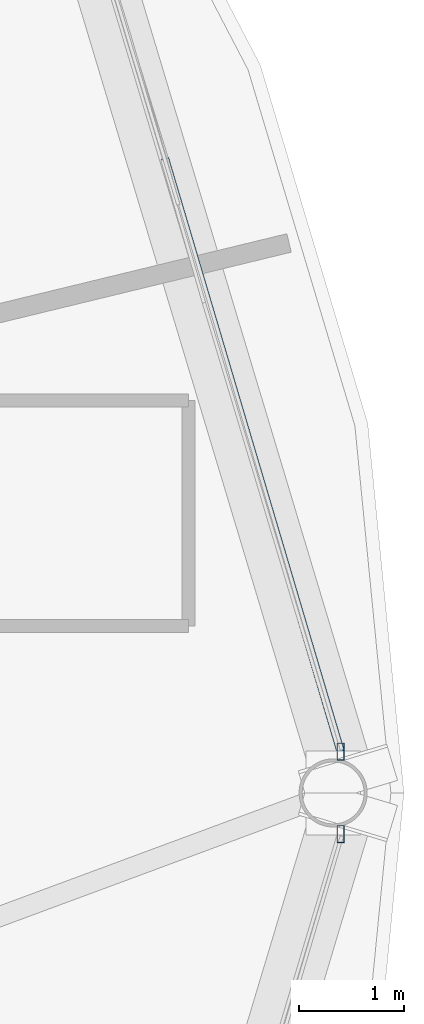
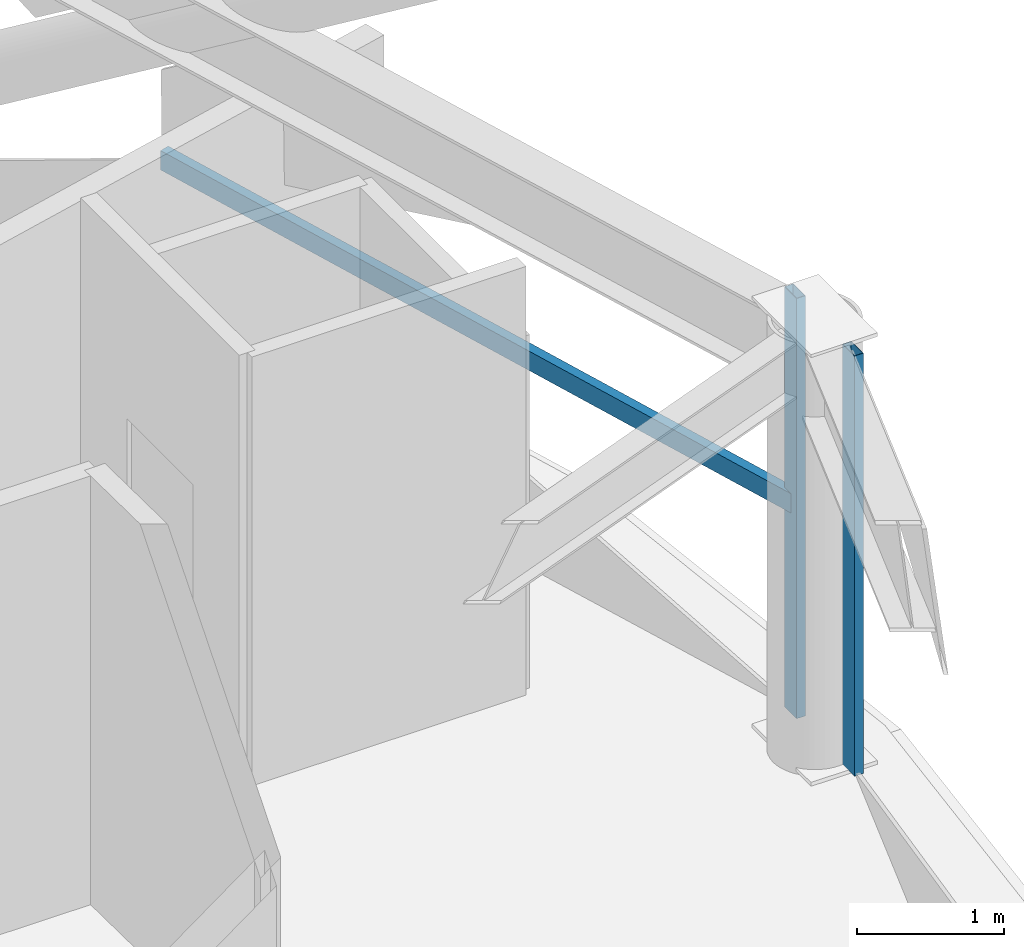
# One storey, part 13 of 29: 3 members, 2 elements without a shape of their own.
"""IFC4 building model written with IfcOpenShell, lengths in metres."""

from ifc_helpers import new_model, si_unit, direction, frame, origin, origin_2d, place, context, subcontext, project, spatial, hollow_rectangle, extrude, material, layer, layer_set, material_profile, profile_set, type_object, element, aggregate, save


model = new_model("IFC4")

# Units and contexts
model_context = context("Model", 3, precision=1e-05, world=origin(), true_north=direction((0.0, 1.0)))
body_context = subcontext(model_context, "Body", "Model", "MODEL_VIEW")
ifc_project = project(units=[si_unit("LENGTHUNIT", "METRE"), si_unit("AREAUNIT", "SQUARE_METRE"), si_unit("VOLUMEUNIT", "CUBIC_METRE"), si_unit("PLANEANGLEUNIT", "RADIAN"), si_unit("MASSUNIT", "GRAM", prefix="KILO")], contexts=[model_context])

# Site, building, storey
site_placement = place(None, origin())
site = spatial("IfcSite", under=ifc_project, at=site_placement, CompositionType="ELEMENT")
building_placement = place(site_placement, origin())
building = spatial("IfcBuilding", under=site, at=building_placement, Name="Vantalir Tower", CompositionType="ELEMENT")
storey_placement = place(building_placement, frame((0.0, 0.0, 219.89990234375)))
storey = spatial("IfcBuildingStorey", under=building, at=storey_placement, Name="L55", CompositionType="ELEMENT", Elevation=219.89990234375)

# Curtain wall, member
ifc_material_1 = material(Name="Champagne-silver PVDF aluminium and double-silver Low-E glass", Category="aluminium")
ifc_layer = layer(ifc_material_1, 0.2099609375)
ifc_layer_set = layer_set([ifc_layer], Name="Champagne-silver PVDF aluminium and double-silver Low-E glass")
curtain_wall_type = type_object("IfcCurtainWallType", Name="CW-DIAMOND-Z3", PredefinedType="USERDEFINED", material=ifc_layer_set)
curtain_wall_1_placement = place(storey_placement, origin())
curtain_wall_1 = element("IfcCurtainWall", 1, at=curtain_wall_1_placement, inside=storey, type_object=curtain_wall_type, Name="L55 Quilted Pyramid-Diamond Curtain Wall S01", ObjectType="UNITISED CURTAIN WALL", PredefinedType="USERDEFINED")
ifc_material_2 = material(Name="Champagne-silver PVDF aluminium 6063-T6", Category="aluminium")
ifc_material_profile_1 = material_profile(ifc_material_2, hollow_rectangle(XDim=0.070068359375, YDim=0.1650390625, WallThickness=0.00390625, at=origin_2d()), Name="Champagne-silver PVDF aluminium 6063-T6")
ifc_profile_set_1 = profile_set([ifc_material_profile_1], Name="Champagne-silver PVDF aluminium 6063-T6")
member_type_1 = type_object("IfcMemberType", Name="CWM-165x70", PredefinedType="MULLION", material=ifc_profile_set_1)
member_1_placement = place(storey_placement, frame((53.5849609375, 25.39306640625, 0.045166015625), z_axis=(0.0, 0.0, 1.0), x_axis=(1.0, 0.0, 0.0)))
member_1 = element("IfcMember", 2, at=member_1_placement, type_object=member_type_1, Name="CW-L55-S01 Mullion 1", PredefinedType="MULLION", context=body_context, shape_type="SweptSolid", body=[
    extrude(hollow_rectangle(XDim=0.070068359375, YDim=0.1650390625, WallThickness=0.00390625, at=origin_2d()), origin(), (0.0, 0.0, 1.0), 3.47998046875),
])

curtain_wall_2_placement = place(storey_placement, origin())
curtain_wall_2 = element("IfcCurtainWall", 3, at=curtain_wall_2_placement, inside=storey, type_object=curtain_wall_type, Name="L55 Quilted Pyramid-Diamond Curtain Wall S12", ObjectType="UNITISED CURTAIN WALL", PredefinedType="USERDEFINED")
member_2_placement = place(storey_placement, frame((53.5849609375, 24.60693359375, 0.045166015625), z_axis=(0.0, 0.0, 1.0), x_axis=(1.0, 0.0, 0.0)))
member_2 = element("IfcMember", 4, at=member_2_placement, type_object=member_type_1, Name="CW-L55-S12 Mullion 2", PredefinedType="MULLION", context=body_context, shape_type="SweptSolid", body=[
    extrude(hollow_rectangle(XDim=0.070068359375, YDim=0.1650390625, WallThickness=0.00390625, at=origin_2d()), origin(), (0.0, 0.0, 1.0), 3.47998046875),
])
aggregate(curtain_wall_2, [member_2])

# Member
ifc_material_profile_2 = material_profile(ifc_material_2, hollow_rectangle(XDim=0.074951171875, YDim=0.159912109375, WallThickness=0.00390625, at=origin_2d()), Name="Champagne-silver PVDF aluminium 6063-T6")
ifc_profile_set_2 = profile_set([ifc_material_profile_2], Name="Champagne-silver PVDF aluminium 6063-T6")
member_type_2 = type_object("IfcMemberType", Name="CWT-160x75", PredefinedType="USERDEFINED", material=ifc_profile_set_2)
member_3_placement = place(storey_placement, frame((53.5849609375, 25.39306640625, 1.78515625), z_axis=(-0.28410947815, 0.958791846245, 0.0), x_axis=(-0.958791846245, -0.28410947815, 0.0)))
member_3 = element("IfcMember", 5, at=member_3_placement, type_object=member_type_2, Name="CW-L55-S01 Pyramid Fold Ridge Transom", ObjectType="TRANSOM", PredefinedType="USERDEFINED", context=body_context, shape_type="SweptSolid", body=[
    extrude(hollow_rectangle(XDim=0.074951171875, YDim=0.159912109375, WallThickness=0.00390625, at=origin_2d()), origin(), (0.0, 0.0, 1.0), 5.895751953125),
])

aggregate(curtain_wall_1, [member_1, member_3])

save(model, "model.ifc")
